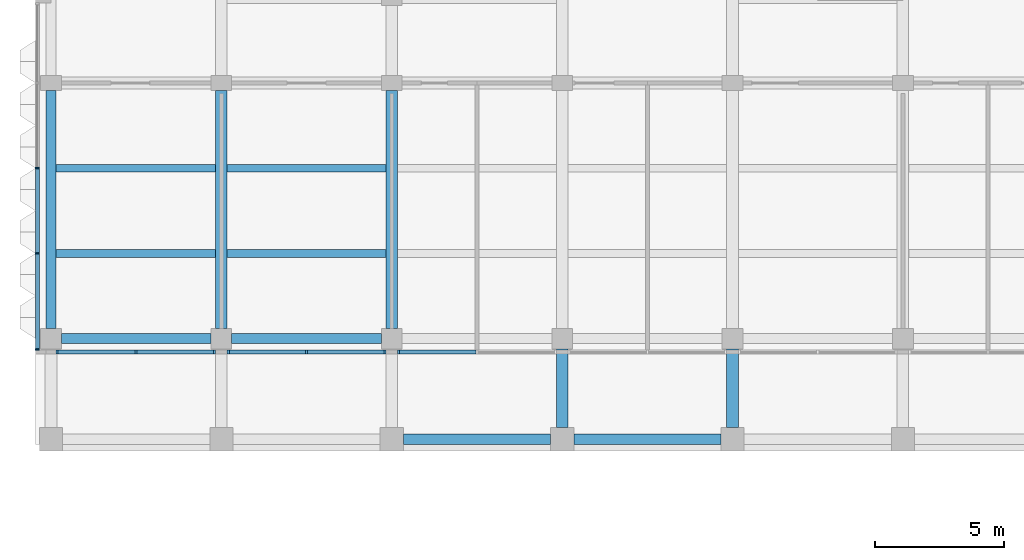
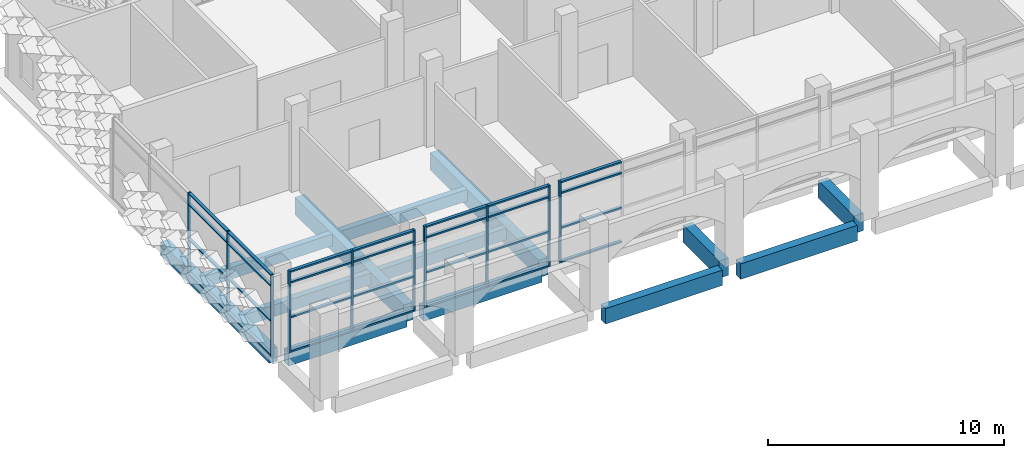
# One storey, part 2 of 87: 38 members, 13 beams, 4 elements without a shape of their own.
"""IFC4 building model written with IfcOpenShell, lengths in metres."""

import ifcopenshell
import ifcopenshell.guid

model = None  # the IFC model being written
_history = None  # IfcOwnerHistory: only IFC2X3 demands one
_inside = {}  # id of a spatial element -> (the spatial element, [elements in it])
_under = {}  # id of a project, library or spatial element -> (it, [spatial elements below it])
_declared = {}  # id of a project -> (the project, [libraries it declares])
_typed = {}  # id of a type object -> (the type object, [elements of that type])
_made_of = {}  # id of a material, layer set ... -> (it, [elements and type objects made of it])


def new_model(schema):
    """Start an empty IFC model of exactly this schema.

    Asked for "IFC4X3", IfcOpenShell would pick the latest addendum, in which some entities
    have other attributes; the version numbers below select the first issue.
    IFC2X3 requires an IfcOwnerHistory on every rooted entity: one is made here for all.
    """
    global model, _history
    if schema == "IFC4X3":
        model = ifcopenshell.file(schema_version=(4, 3, 0, 0))
    else:
        model = ifcopenshell.file(schema=schema)
    _inside.clear()
    _under.clear()
    _declared.clear()
    _typed.clear()
    _made_of.clear()
    _history = None
    if model.schema == "IFC2X3":
        org = make("IfcOrganization", Name="unknown")
        user = make(
            "IfcPersonAndOrganization",
            ThePerson=make("IfcPerson", FamilyName="unknown"),
            TheOrganization=org,
        )
        app = make(
            "IfcApplication",
            ApplicationDeveloper=org,
            Version="unknown",
            ApplicationFullName="unknown",
            ApplicationIdentifier="unknown",
        )
        _history = make(
            "IfcOwnerHistory",
            OwningUser=user,
            OwningApplication=app,
            ChangeAction="ADDED",
            CreationDate=0,
        )
    return model


def make(cls, **values):
    """One entity of the class cls with the attributes given. An attribute that is None is left unset."""
    return model.create_entity(
        cls, **{name: value for name, value in values.items() if value is not None}
    )


def rooted(cls, **values):
    """An entity with a GlobalId (a new one), such as an element, a storey or a relation."""
    return make(cls, GlobalId=ifcopenshell.guid.new(), OwnerHistory=_history, **values)


def si_unit(unit_type, name, prefix=None):
    """IfcSIUnit, for example si_unit("LENGTHUNIT", "METRE", prefix="MILLI")."""
    return make("IfcSIUnit", UnitType=unit_type, Prefix=prefix, Name=name)


def assignment(units):
    """IfcUnitAssignment: the units of a project."""
    return None if units is None else make("IfcUnitAssignment", Units=units)


def point(xyz):
    """IfcCartesianPoint."""
    return None if xyz is None else make("IfcCartesianPoint", Coordinates=xyz)


def direction(xyz):
    """IfcDirection."""
    return None if xyz is None else make("IfcDirection", DirectionRatios=xyz)


def frame(location, z_axis=None, x_axis=None):
    """IfcAxis2Placement3D, a coordinate frame: its origin and axes. An axis left out is left unset."""
    return make(
        "IfcAxis2Placement3D",
        Location=point(location),
        Axis=direction(z_axis),
        RefDirection=direction(x_axis),
    )


def frame_2d(location, x_axis=None):
    """IfcAxis2Placement2D, a coordinate frame in the plane: its origin and x axis."""
    return make(
        "IfcAxis2Placement2D", Location=point(location), RefDirection=direction(x_axis)
    )


def origin():
    """The frame at (0, 0, 0) with its axes left unset."""
    return frame((0.0, 0.0, 0.0))


def origin_2d():
    """The frame at (0, 0) in the plane with its x axis left unset."""
    return frame_2d((0.0, 0.0))


def place(relative_to, where):
    """IfcLocalPlacement: puts the frame where relative to a parent placement (None: the world)."""
    return make(
        "IfcLocalPlacement", PlacementRelTo=relative_to, RelativePlacement=where
    )


def context(
    kind, dimensions, precision=None, world=None, true_north=None, identifier=None
):
    """IfcGeometricRepresentationContext, for example the 3D "Model" context."""
    return make(
        "IfcGeometricRepresentationContext",
        ContextIdentifier=identifier,
        ContextType=kind,
        CoordinateSpaceDimension=dimensions,
        Precision=precision,
        WorldCoordinateSystem=world,
        TrueNorth=true_north,
    )


def subcontext(parent, identifier, kind, view, scale=None):
    """IfcGeometricRepresentationSubContext, for example "Body" below "Model"."""
    return make(
        "IfcGeometricRepresentationSubContext",
        ContextIdentifier=identifier,
        ContextType=kind,
        ParentContext=parent,
        TargetScale=scale,
        TargetView=view,
    )


def project(units=None, contexts=None):
    """IfcProject with its units and contexts."""
    return rooted(
        "IfcProject",
        Name="project",
        RepresentationContexts=contexts,
        UnitsInContext=assignment(units),
    )


def spatial(cls, under=None, at=None, **own):
    """A site, building, storey or space (cls), placed at a placement, below another one or the project."""
    s = rooted(cls, ObjectPlacement=at, **own)
    if under is not None:
        _under.setdefault(under.id(), (under, []))[1].append(s)
    return s


def profile(cls, at=None, kind="AREA", **sizes):
    """A parametric profile (cls). Its sizes go by their IFC names, for example OverallWidth=200.0."""
    return make(cls, ProfileType=kind, Position=at, **sizes)


def rectangle(**sizes):
    """IfcRectangleProfileDef."""
    return profile("IfcRectangleProfileDef", **sizes)


def extrude(swept, where, along, depth):
    """IfcExtrudedAreaSolid: the profile swept, set in the frame where, extruded along a direction by depth."""
    return make(
        "IfcExtrudedAreaSolid",
        SweptArea=swept,
        Position=where,
        ExtrudedDirection=direction(along),
        Depth=depth,
    )


def shape(context_of_items, identifier, shape_type, items):
    """IfcShapeRepresentation: the items that make up one representation, for example the "Body"."""
    return make(
        "IfcShapeRepresentation",
        ContextOfItems=context_of_items,
        RepresentationIdentifier=identifier,
        RepresentationType=shape_type,
        Items=items,
    )


def material(Name=None, Category=None):
    """IfcMaterial."""
    return make("IfcMaterial", Name=Name, Category=Category)


def material_profile(
    of_material, cross_section, Name=None, Category=None, Priority=None
):
    """IfcMaterialProfile: a cross section and its material."""
    return make(
        "IfcMaterialProfile",
        Name=Name,
        Material=of_material,
        Profile=cross_section,
        Priority=Priority,
        Category=Category,
    )


def profile_set(profiles, Name=None, composite=None):
    """IfcMaterialProfileSet."""
    return make(
        "IfcMaterialProfileSet",
        Name=Name,
        MaterialProfiles=profiles,
        CompositeProfile=composite,
    )


def made_of(thing, what):
    """Note that an element or type object is made of a material, layer set ...; save() writes the relation."""
    if what is not None:
        _made_of.setdefault(what.id(), (what, []))[1].append(thing)
    return thing


def type_object(cls, material=None, **own):
    """A type object (cls), such as IfcWallType, which elements share."""
    return made_of(rooted(cls, **own), material)


def element(
    cls,
    number,
    at=None,
    inside=None,
    cuts=None,
    type_object=None,
    material=None,
    context=None,
    identifier="Body",
    shape_type=None,
    held_by="IfcProductDefinitionShape",
    body=None,
    shapes=None,
    **own,
):
    """One element of the class cls, such as IfcWall. Its Tag is "e" and its number.

    at: its placement. inside: the storey or other place that contains it. cuts: it is an
    opening in that element (IfcRelVoidsElement). A single representation is given by context,
    identifier, shape_type and body (its items); several are given by shapes. held_by: the class
    of the entity that holds the representations. save() writes the other relations.
    """
    e = rooted(cls, Tag="e%d" % number, ObjectPlacement=at, **own)
    if body is not None:
        shapes = [shape(context, identifier, shape_type, body)]
    if shapes is not None:
        e.Representation = make(held_by, Representations=shapes)
    if inside is not None:
        _inside.setdefault(inside.id(), (inside, []))[1].append(e)
    if cuts is not None:
        rooted(
            "IfcRelVoidsElement", RelatingBuildingElement=cuts, RelatedOpeningElement=e
        )
    if type_object is not None:
        _typed.setdefault(type_object.id(), (type_object, []))[1].append(e)
    return made_of(e, material)


def aggregate(whole, parts):
    """IfcRelAggregates: a whole, such as a stair, and the parts it consists of."""
    return rooted("IfcRelAggregates", RelatingObject=whole, RelatedObjects=parts)


def save(model, path):
    """Write the relations noted so far, then the file.

    IfcRelAggregates (storeys below a building ...), IfcRelContainedInSpatialStructure (elements
    in a storey), IfcRelDefinesByType, IfcRelAssociatesMaterial and IfcRelDeclares: one each for
    every whole, place, type object, material and project.
    """
    for whole, parts in _under.values():
        aggregate(whole, parts)
    for where, things in _inside.values():
        rooted(
            "IfcRelContainedInSpatialStructure",
            RelatedElements=things,
            RelatingStructure=where,
        )
    for kind, things in _typed.values():
        rooted("IfcRelDefinesByType", RelatedObjects=things, RelatingType=kind)
    for what, things in _made_of.values():
        rooted("IfcRelAssociatesMaterial", RelatedObjects=things, RelatingMaterial=what)
    for by, libraries in _declared.values():
        rooted("IfcRelDeclares", RelatingContext=by, RelatedDefinitions=libraries)
    model.write(path)


model = new_model("IFC4")

# Units and contexts
model_context = context("Model", 3, precision=1e-05, world=origin(), true_north=direction((0.0, 1.0)))
body_context = subcontext(model_context, "Body", "Model", "MODEL_VIEW")
ifc_project = project(units=[si_unit("LENGTHUNIT", "METRE"), si_unit("AREAUNIT", "SQUARE_METRE"), si_unit("VOLUMEUNIT", "CUBIC_METRE"), si_unit("PLANEANGLEUNIT", "RADIAN"), si_unit("MASSUNIT", "GRAM", prefix="KILO")], contexts=[model_context])

# Site, building, storey
site_placement = place(None, origin())
site = spatial("IfcSite", under=ifc_project, at=site_placement, CompositionType="ELEMENT")
building_placement = place(site_placement, origin())
building = spatial("IfcBuilding", under=site, at=building_placement, Name="Lantern Court Research Institute", CompositionType="ELEMENT")
storey_placement = place(building_placement, frame((0.0, 0.0, 5.39990234375)))
storey = spatial("IfcBuildingStorey", under=building, at=storey_placement, Name="L01", CompositionType="ELEMENT", Elevation=5.39990234375)

# Curtain wall, members
ifc_material_1 = material(Name="Aluminium alloy 6063-T6", Category="aluminium")
curtain_wall_type_1 = type_object("IfcCurtainWallType", Name="Curtain wall 13450 x 4200 x 150 aluminium frame", PredefinedType="NOTDEFINED", material=ifc_material_1)
curtain_wall_1_placement = place(storey_placement, origin())
curtain_wall_1 = element("IfcCurtainWall", 1, at=curtain_wall_1_placement, inside=storey, type_object=curtain_wall_type_1, Name="Curtain wall CW031", PredefinedType="NOTDEFINED")
ifc_material_2 = material(Name="Aluminium alloy 6063-T6", Category="aluminium")
ifc_material_profile_1 = material_profile(ifc_material_2, rectangle(XDim=0.14990234375, YDim=0.06005859375, at=origin_2d()), Name="Mullion 150 x 60")
ifc_profile_set_1 = profile_set([ifc_material_profile_1], Name="Aluminium alloy 6063-T6")
member_type_1 = type_object("IfcMemberType", Name="Mullion 150 x 60 aluminium", PredefinedType="MULLION", material=ifc_profile_set_1)
member_1_placement = place(storey_placement, frame((-0.52490234375, -0.419921875, 0.0), z_axis=(0.0, 0.0, 1.0), x_axis=(-1.0, 0.0, 0.0)))
member_1 = element("IfcMember", 2, at=member_1_placement, type_object=member_type_1, Name="CW031 mullion 1", PredefinedType="MULLION", context=body_context, shape_type="SweptSolid", body=[
    extrude(rectangle(XDim=0.14990234375, YDim=0.06005859375, at=origin_2d()), origin(), (0.0, 0.0, 1.0), 4.2001953125),
])
member_2_placement = place(storey_placement, frame((-0.52490234375, 3.300048828125, 0.0), z_axis=(0.0, 0.0, 1.0), x_axis=(-1.0, 0.0, 0.0)))
member_2 = element("IfcMember", 3, at=member_2_placement, type_object=member_type_1, Name="CW031 mullion 2", PredefinedType="MULLION", context=body_context, shape_type="SweptSolid", body=[
    extrude(rectangle(XDim=0.14990234375, YDim=0.06005859375, at=origin_2d()), origin(), (0.0, 0.0, 1.0), 4.2001953125),
])
member_3_placement = place(storey_placement, frame((-0.52490234375, 6.60009765625, 0.0), z_axis=(0.0, 0.0, 1.0), x_axis=(-1.0, 0.0, 0.0)))
member_3 = element("IfcMember", 4, at=member_3_placement, type_object=member_type_1, Name="CW031 mullion 3", PredefinedType="MULLION", context=body_context, shape_type="SweptSolid", body=[
    extrude(rectangle(XDim=0.14990234375, YDim=0.06005859375, at=origin_2d()), origin(), (0.0, 0.0, 1.0), 4.2001953125),
])

ifc_material_3 = material(Name="Aluminium alloy 6063-T6", Category="aluminium")
curtain_wall_type_2 = type_object("IfcCurtainWallType", Name="Curtain wall 6175 x 4200 x 150 aluminium frame", PredefinedType="NOTDEFINED", material=ifc_material_3)
curtain_wall_2_placement = place(storey_placement, origin())
curtain_wall_2 = element("IfcCurtainWall", 5, at=curtain_wall_2_placement, inside=storey, type_object=curtain_wall_type_2, Name="Curtain wall CW023", PredefinedType="NOTDEFINED")
ifc_material_4 = material(Name="Aluminium alloy 6063-T6", Category="aluminium")
ifc_material_profile_2 = material_profile(ifc_material_4, rectangle(XDim=0.14990234375, YDim=0.080078125, at=origin_2d()), Name="Mullion 150 x 80")
ifc_profile_set_2 = profile_set([ifc_material_profile_2], Name="Aluminium alloy 6063-T6")
member_type_2 = type_object("IfcMemberType", Name="Mullion 150 x 80 aluminium", PredefinedType="MULLION", material=ifc_profile_set_2)
member_4_placement = place(storey_placement, frame((0.239990234375, -0.52490234375, 0.0), z_axis=(0.0, 0.0, 1.0), x_axis=(0.0, -1.0, 0.0)))
member_4 = element("IfcMember", 6, at=member_4_placement, type_object=member_type_2, Name="CW023 mullion 1", PredefinedType="MULLION", context=body_context, shape_type="SweptSolid", body=[
    extrude(rectangle(XDim=0.14990234375, YDim=0.080078125, at=origin_2d()), origin(), (0.0, 0.0, 1.0), 4.2001953125),
])
member_5_placement = place(storey_placement, frame((3.300048828125, -0.52490234375, 0.0), z_axis=(0.0, 0.0, 1.0), x_axis=(0.0, -1.0, 0.0)))
member_5 = element("IfcMember", 7, at=member_5_placement, type_object=member_type_2, Name="CW023 mullion 2", PredefinedType="MULLION", context=body_context, shape_type="SweptSolid", body=[
    extrude(rectangle(XDim=0.14990234375, YDim=0.080078125, at=origin_2d()), origin(), (0.0, 0.0, 1.0), 4.2001953125),
])
member_6_placement = place(storey_placement, frame((6.3349609375, -0.52490234375, 0.0), z_axis=(0.0, 0.0, 1.0), x_axis=(0.0, -1.0, 0.0)))
member_6 = element("IfcMember", 8, at=member_6_placement, type_object=member_type_2, Name="CW023 mullion 3", PredefinedType="MULLION", context=body_context, shape_type="SweptSolid", body=[
    extrude(rectangle(XDim=0.14990234375, YDim=0.080078125, at=origin_2d()), origin(), (0.0, 0.0, 1.0), 4.2001953125),
])

ifc_material_5 = material(Name="Aluminium alloy 6063-T6", Category="aluminium")
curtain_wall_type_3 = type_object("IfcCurtainWallType", Name="Curtain wall 6150 x 4200 x 150 aluminium frame", PredefinedType="NOTDEFINED", material=ifc_material_5)
curtain_wall_3_placement = place(storey_placement, origin())
curtain_wall_3 = element("IfcCurtainWall", 9, at=curtain_wall_3_placement, inside=storey, type_object=curtain_wall_type_3, Name="Curtain wall CW024", PredefinedType="NOTDEFINED")
member_7_placement = place(storey_placement, frame((6.864990234375, -0.52490234375, 0.0), z_axis=(0.0, 0.0, 1.0), x_axis=(0.0, -1.0, 0.0)))
member_7 = element("IfcMember", 10, at=member_7_placement, type_object=member_type_2, Name="CW024 mullion 1", PredefinedType="MULLION", context=body_context, shape_type="SweptSolid", body=[
    extrude(rectangle(XDim=0.14990234375, YDim=0.080078125, at=origin_2d()), origin(), (0.0, 0.0, 1.0), 4.2001953125),
])
member_8_placement = place(storey_placement, frame((9.89990234375, -0.52490234375, 0.0), z_axis=(0.0, 0.0, 1.0), x_axis=(0.0, -1.0, 0.0)))
member_8 = element("IfcMember", 11, at=member_8_placement, type_object=member_type_2, Name="CW024 mullion 2", PredefinedType="MULLION", context=body_context, shape_type="SweptSolid", body=[
    extrude(rectangle(XDim=0.14990234375, YDim=0.080078125, at=origin_2d()), origin(), (0.0, 0.0, 1.0), 4.2001953125),
])
member_9_placement = place(storey_placement, frame((12.93505859375, -0.52490234375, 0.0), z_axis=(0.0, 0.0, 1.0), x_axis=(0.0, -1.0, 0.0)))
member_9 = element("IfcMember", 12, at=member_9_placement, type_object=member_type_2, Name="CW024 mullion 3", PredefinedType="MULLION", context=body_context, shape_type="SweptSolid", body=[
    extrude(rectangle(XDim=0.14990234375, YDim=0.080078125, at=origin_2d()), origin(), (0.0, 0.0, 1.0), 4.2001953125),
])

# Curtain wall, member
curtain_wall_4_placement = place(storey_placement, origin())
curtain_wall_4 = element("IfcCurtainWall", 13, at=curtain_wall_4_placement, inside=storey, type_object=curtain_wall_type_3, Name="Curtain wall CW025", PredefinedType="NOTDEFINED")
member_10_placement = place(storey_placement, frame((13.465087890625, -0.52490234375, 0.0), z_axis=(0.0, 0.0, 1.0), x_axis=(0.0, -1.0, 0.0)))
member_10 = element("IfcMember", 14, at=member_10_placement, type_object=member_type_2, Name="CW025 mullion 1", PredefinedType="MULLION", context=body_context, shape_type="SweptSolid", body=[
    extrude(rectangle(XDim=0.14990234375, YDim=0.080078125, at=origin_2d()), origin(), (0.0, 0.0, 1.0), 4.2001953125),
])

# Beams
ifc_material_6 = material(Name="Concrete C40/50", Category="concrete")
ifc_material_profile_3 = material_profile(ifc_material_6, rectangle(XDim=0.39990234375, YDim=0.699951171875, at=origin_2d()), Name="RC beam 400 x 700")
ifc_profile_set_3 = profile_set([ifc_material_profile_3], Name="Concrete C40/50")
beam_type_1 = type_object("IfcBeamType", Name="RC edge beam 400 x 700", PredefinedType="BEAM", material=ifc_profile_set_3)
beam_1_placement = place(storey_placement, frame((0.0, 0.39990234375, -0.64990234375), z_axis=(0.0, 1.0, 0.0), x_axis=(-1.0, 0.0, 0.0)))
element("IfcBeam", 15, at=beam_1_placement, inside=storey, type_object=beam_type_1, Name="Edge beam L01 grid 1/A-B", PredefinedType="BEAM", context=body_context, shape_type="SweptSolid", body=[
    extrude(rectangle(XDim=0.39990234375, YDim=0.699951171875, at=origin_2d()), origin(), (0.0, 0.0, 1.0), 9.2001953125),
])
for number, where, z_axis, x_axis, name in (
    (16, (0.39990234375, 0.0, -0.64990234375), (1.0, 0.0, 0.0), (0.0, 1.0, 0.0), "Edge beam L01 grid A/1-2"),
    (17, (7.0, 0.0, -0.64990234375), (1.0, 0.0, 0.0), (0.0, 1.0, 0.0), "Edge beam L01 grid A/2-3"),
):
    element("IfcBeam", number, at=place(storey_placement, frame(where, z_axis=z_axis, x_axis=x_axis)), inside=storey, type_object=beam_type_1, Name=name, PredefinedType="BEAM", context=body_context, shape_type="SweptSolid", body=[
        extrude(rectangle(XDim=0.39990234375, YDim=0.699951171875, at=origin_2d()), origin(), (0.0, 0.0, 1.0), 5.800048828125),
    ])
ifc_material_7 = material(Name="Concrete C40/50", Category="concrete")
ifc_material_profile_4 = material_profile(ifc_material_7, rectangle(XDim=0.449951171875, YDim=0.89990234375, at=origin_2d()), Name="RC beam 450 x 900")
ifc_profile_set_4 = profile_set([ifc_material_profile_4], Name="Concrete C40/50")
beam_type_2 = type_object("IfcBeamType", Name="RC girder 450 x 900", PredefinedType="BEAM", material=ifc_profile_set_4)
for number, where, z_axis, x_axis, name in (
    (18, (6.60009765625, 0.39990234375, -0.75), (0.0, 1.0, 0.0), (-1.0, 0.0, 0.0), "Girder L01 grid 2/A-B"),
    (19, (13.199951171875, 0.39990234375, -0.75), (0.0, 1.0, 0.0), (-1.0, 0.0, 0.0), "Girder L01 grid 3/A-B"),
):
    element("IfcBeam", number, at=place(storey_placement, frame(where, z_axis=z_axis, x_axis=x_axis)), inside=storey, type_object=beam_type_2, Name=name, PredefinedType="BEAM", context=body_context, shape_type="SweptSolid", body=[
        extrude(rectangle(XDim=0.449951171875, YDim=0.89990234375, at=origin_2d()), origin(), (0.0, 0.0, 1.0), 9.2001953125),
    ])
ifc_material_8 = material(Name="Concrete C40/50", Category="concrete")
ifc_material_profile_5 = material_profile(ifc_material_8, rectangle(XDim=0.449951171875, YDim=0.89990234375, at=origin_2d()), Name="RC beam 450 x 900")
ifc_profile_set_5 = profile_set([ifc_material_profile_5], Name="Concrete C40/50")
beam_type_3 = type_object("IfcBeamType", Name="RC link beam 450 x 900", PredefinedType="BEAM", material=ifc_profile_set_5)
for number, where, z_axis, x_axis, name in (
    (20, (19.800048828125, -0.39990234375, -0.75), (0.0, -1.0, 0.0), (1.0, 0.0, 0.0), "Link beam L01 grid 4/A-Y"),
    (21, (26.39990234375, -0.39990234375, -0.75), (0.0, -1.0, 0.0), (1.0, 0.0, 0.0), "Link beam L01 grid 5/A-Y"),
):
    element("IfcBeam", number, at=place(storey_placement, frame(where, z_axis=z_axis, x_axis=x_axis)), inside=storey, type_object=beam_type_3, Name=name, PredefinedType="BEAM", context=body_context, shape_type="SweptSolid", body=[
        extrude(rectangle(XDim=0.449951171875, YDim=0.89990234375, at=origin_2d()), origin(), (0.0, 0.0, 1.0), 3.050048828125),
    ])
ifc_material_9 = material(Name="Concrete C40/50", Category="concrete")
ifc_material_profile_6 = material_profile(ifc_material_9, rectangle(XDim=0.300048828125, YDim=0.60009765625, at=origin_2d()), Name="RC beam 300 x 600")
ifc_profile_set_6 = profile_set([ifc_material_profile_6], Name="Concrete C40/50")
beam_type_4 = type_object("IfcBeamType", Name="RC secondary beam 300 x 600", PredefinedType="BEAM", material=ifc_profile_set_6)
beam_2_placement = place(storey_placement, frame((0.199951171875, 3.300048828125, -0.599853515625), z_axis=(1.0, 0.0, 0.0), x_axis=(0.0, 1.0, 0.0)))
element("IfcBeam", 22, at=beam_2_placement, inside=storey, type_object=beam_type_4, Name="Secondary beam L01 grids 1-2 / A-B, line 1", PredefinedType="BEAM", context=body_context, shape_type="SweptSolid", body=[
    extrude(rectangle(XDim=0.300048828125, YDim=0.60009765625, at=origin_2d()), origin(), (0.0, 0.0, 1.0), 6.175048828125),
])
beam_3_placement = place(storey_placement, frame((6.824951171875, 3.300048828125, -0.599853515625), z_axis=(1.0, 0.0, 0.0), x_axis=(0.0, 1.0, 0.0)))
element("IfcBeam", 23, at=beam_3_placement, inside=storey, type_object=beam_type_4, Name="Secondary beam L01 grids 2-3 / A-B, line 1", PredefinedType="BEAM", context=body_context, shape_type="SweptSolid", body=[
    extrude(rectangle(XDim=0.300048828125, YDim=0.60009765625, at=origin_2d()), origin(), (0.0, 0.0, 1.0), 6.150146484375),
])
beam_4_placement = place(storey_placement, frame((0.199951171875, 6.60009765625, -0.599853515625), z_axis=(1.0, 0.0, 0.0), x_axis=(0.0, 1.0, 0.0)))
element("IfcBeam", 24, at=beam_4_placement, inside=storey, type_object=beam_type_4, Name="Secondary beam L01 grids 1-2 / A-B, line 2", PredefinedType="BEAM", context=body_context, shape_type="SweptSolid", body=[
    extrude(rectangle(XDim=0.300048828125, YDim=0.60009765625, at=origin_2d()), origin(), (0.0, 0.0, 1.0), 6.175048828125),
])
beam_5_placement = place(storey_placement, frame((6.824951171875, 6.60009765625, -0.599853515625), z_axis=(1.0, 0.0, 0.0), x_axis=(0.0, 1.0, 0.0)))
element("IfcBeam", 25, at=beam_5_placement, inside=storey, type_object=beam_type_4, Name="Secondary beam L01 grids 2-3 / A-B, line 2", PredefinedType="BEAM", context=body_context, shape_type="SweptSolid", body=[
    extrude(rectangle(XDim=0.300048828125, YDim=0.60009765625, at=origin_2d()), origin(), (0.0, 0.0, 1.0), 6.150146484375),
])
ifc_material_10 = material(Name="Concrete C40/50", Category="concrete")
ifc_material_profile_7 = material_profile(ifc_material_10, rectangle(XDim=0.39990234375, YDim=0.800048828125, at=origin_2d()), Name="RC beam 400 x 800")
ifc_profile_set_7 = profile_set([ifc_material_profile_7], Name="Concrete C40/50")
beam_type_5 = type_object("IfcBeamType", Name="RC tie beam 400 x 800", PredefinedType="BEAM", material=ifc_profile_set_7)
beam_6_placement = place(storey_placement, frame((13.64990234375, -3.89990234375, -0.699951171875), z_axis=(1.0, 0.0, 0.0), x_axis=(0.0, 1.0, 0.0)))
element("IfcBeam", 26, at=beam_6_placement, inside=storey, type_object=beam_type_5, Name="Tie beam L01 grid Y/3-4", PredefinedType="BEAM", context=body_context, shape_type="SweptSolid", body=[
    extrude(rectangle(XDim=0.39990234375, YDim=0.800048828125, at=origin_2d()), origin(), (0.0, 0.0, 1.0), 5.7001953125),
])
beam_7_placement = place(storey_placement, frame((20.25, -3.89990234375, -0.699951171875), z_axis=(1.0, 0.0, 0.0), x_axis=(0.0, 1.0, 0.0)))
element("IfcBeam", 27, at=beam_7_placement, inside=storey, type_object=beam_type_5, Name="Tie beam L01 grid Y/4-5", PredefinedType="BEAM", context=body_context, shape_type="SweptSolid", body=[
    extrude(rectangle(XDim=0.39990234375, YDim=0.800048828125, at=origin_2d()), origin(), (0.0, 0.0, 1.0), 5.699951171875),
])

# Member
ifc_material_11 = material(Name="Aluminium alloy 6063-T6", Category="aluminium")
ifc_material_profile_8 = material_profile(ifc_material_11, rectangle(XDim=0.14990234375, YDim=0.06005859375, at=origin_2d()), Name="Transom 150 x 60")
ifc_profile_set_8 = profile_set([ifc_material_profile_8], Name="Aluminium alloy 6063-T6")
member_type_3 = type_object("IfcMemberType", Name="Transom 150 x 60 aluminium", PredefinedType="USERDEFINED", material=ifc_profile_set_8)
member_11_placement = place(storey_placement, frame((-0.52490234375, -0.389892578125, 0.030029296875), z_axis=(0.0, 1.0, 0.0), x_axis=(-1.0, 0.0, 0.0)))
member_11 = element("IfcMember", 28, at=member_11_placement, type_object=member_type_3, Name="CW031 transom 1.1", ObjectType="TRANSOM", PredefinedType="USERDEFINED", context=body_context, shape_type="SweptSolid", body=[
    extrude(rectangle(XDim=0.14990234375, YDim=0.06005859375, at=origin_2d()), origin(), (0.0, 0.0, 1.0), 3.659912109375),
])

member_12_placement = place(storey_placement, frame((-0.52490234375, -0.389892578125, 1.800048828125), z_axis=(0.0, 1.0, 0.0), x_axis=(-1.0, 0.0, 0.0)))
member_12 = element("IfcMember", 29, at=member_12_placement, type_object=member_type_3, Name="CW031 transom 1.2", ObjectType="TRANSOM", PredefinedType="USERDEFINED", context=body_context, shape_type="SweptSolid", body=[
    extrude(rectangle(XDim=0.14990234375, YDim=0.06005859375, at=origin_2d()), origin(), (0.0, 0.0, 1.0), 3.659912109375),
])

member_13_placement = place(storey_placement, frame((-0.52490234375, -0.389892578125, 3.60009765625), z_axis=(0.0, 1.0, 0.0), x_axis=(-1.0, 0.0, 0.0)))
member_13 = element("IfcMember", 30, at=member_13_placement, type_object=member_type_3, Name="CW031 transom 1.3", ObjectType="TRANSOM", PredefinedType="USERDEFINED", context=body_context, shape_type="SweptSolid", body=[
    extrude(rectangle(XDim=0.14990234375, YDim=0.06005859375, at=origin_2d()), origin(), (0.0, 0.0, 1.0), 3.659912109375),
])

member_14_placement = place(storey_placement, frame((-0.52490234375, -0.389892578125, 4.170166015625), z_axis=(0.0, 1.0, 0.0), x_axis=(-1.0, 0.0, 0.0)))
member_14 = element("IfcMember", 31, at=member_14_placement, type_object=member_type_3, Name="CW031 transom 1.4", ObjectType="TRANSOM", PredefinedType="USERDEFINED", context=body_context, shape_type="SweptSolid", body=[
    extrude(rectangle(XDim=0.14990234375, YDim=0.06005859375, at=origin_2d()), origin(), (0.0, 0.0, 1.0), 3.659912109375),
])

member_15_placement = place(storey_placement, frame((-0.52490234375, 3.330078125, 0.030029296875), z_axis=(0.0, 1.0, 0.0), x_axis=(-1.0, 0.0, 0.0)))
member_15 = element("IfcMember", 32, at=member_15_placement, type_object=member_type_3, Name="CW031 transom 2.1", ObjectType="TRANSOM", PredefinedType="USERDEFINED", context=body_context, shape_type="SweptSolid", body=[
    extrude(rectangle(XDim=0.14990234375, YDim=0.06005859375, at=origin_2d()), origin(), (0.0, 0.0, 1.0), 3.239990234375),
])

member_16_placement = place(storey_placement, frame((-0.52490234375, 3.330078125, 1.800048828125), z_axis=(0.0, 1.0, 0.0), x_axis=(-1.0, 0.0, 0.0)))
member_16 = element("IfcMember", 33, at=member_16_placement, type_object=member_type_3, Name="CW031 transom 2.2", ObjectType="TRANSOM", PredefinedType="USERDEFINED", context=body_context, shape_type="SweptSolid", body=[
    extrude(rectangle(XDim=0.14990234375, YDim=0.06005859375, at=origin_2d()), origin(), (0.0, 0.0, 1.0), 3.239990234375),
])

member_17_placement = place(storey_placement, frame((-0.52490234375, 3.330078125, 3.60009765625), z_axis=(0.0, 1.0, 0.0), x_axis=(-1.0, 0.0, 0.0)))
member_17 = element("IfcMember", 34, at=member_17_placement, type_object=member_type_3, Name="CW031 transom 2.3", ObjectType="TRANSOM", PredefinedType="USERDEFINED", context=body_context, shape_type="SweptSolid", body=[
    extrude(rectangle(XDim=0.14990234375, YDim=0.06005859375, at=origin_2d()), origin(), (0.0, 0.0, 1.0), 3.239990234375),
])

member_18_placement = place(storey_placement, frame((-0.52490234375, 3.330078125, 4.170166015625), z_axis=(0.0, 1.0, 0.0), x_axis=(-1.0, 0.0, 0.0)))
member_18 = element("IfcMember", 35, at=member_18_placement, type_object=member_type_3, Name="CW031 transom 2.4", ObjectType="TRANSOM", PredefinedType="USERDEFINED", context=body_context, shape_type="SweptSolid", body=[
    extrude(rectangle(XDim=0.14990234375, YDim=0.06005859375, at=origin_2d()), origin(), (0.0, 0.0, 1.0), 3.239990234375),
])

aggregate(curtain_wall_1, [member_1, member_2, member_3, member_11, member_12, member_13, member_14, member_15, member_16, member_17, member_18])

ifc_material_12 = material(Name="Aluminium alloy 6063-T6", Category="aluminium")
ifc_material_profile_9 = material_profile(ifc_material_12, rectangle(XDim=0.14990234375, YDim=0.080078125, at=origin_2d()), Name="Transom 150 x 80")
ifc_profile_set_9 = profile_set([ifc_material_profile_9], Name="Aluminium alloy 6063-T6")
member_type_4 = type_object("IfcMemberType", Name="Transom 150 x 80 aluminium", PredefinedType="USERDEFINED", material=ifc_profile_set_9)
member_19_placement = place(storey_placement, frame((3.260009765625, -0.52490234375, 0.0400390625), z_axis=(-1.0, 0.0, 0.0), x_axis=(0.0, -1.0, 0.0)))
member_19 = element("IfcMember", 36, at=member_19_placement, type_object=member_type_4, Name="CW023 transom 1.1", ObjectType="TRANSOM", PredefinedType="USERDEFINED", context=body_context, shape_type="SweptSolid", body=[
    extrude(rectangle(XDim=0.14990234375, YDim=0.080078125, at=origin_2d()), origin(), (0.0, 0.0, 1.0), 2.97998046875),
])

member_20_placement = place(storey_placement, frame((3.260009765625, -0.52490234375, 1.800048828125), z_axis=(-1.0, 0.0, 0.0), x_axis=(0.0, -1.0, 0.0)))
member_20 = element("IfcMember", 37, at=member_20_placement, type_object=member_type_4, Name="CW023 transom 1.2", ObjectType="TRANSOM", PredefinedType="USERDEFINED", context=body_context, shape_type="SweptSolid", body=[
    extrude(rectangle(XDim=0.14990234375, YDim=0.080078125, at=origin_2d()), origin(), (0.0, 0.0, 1.0), 2.97998046875),
])

member_21_placement = place(storey_placement, frame((3.260009765625, -0.52490234375, 3.60009765625), z_axis=(-1.0, 0.0, 0.0), x_axis=(0.0, -1.0, 0.0)))
member_21 = element("IfcMember", 38, at=member_21_placement, type_object=member_type_4, Name="CW023 transom 1.3", ObjectType="TRANSOM", PredefinedType="USERDEFINED", context=body_context, shape_type="SweptSolid", body=[
    extrude(rectangle(XDim=0.14990234375, YDim=0.080078125, at=origin_2d()), origin(), (0.0, 0.0, 1.0), 2.97998046875),
])

member_22_placement = place(storey_placement, frame((3.260009765625, -0.52490234375, 4.16015625), z_axis=(-1.0, 0.0, 0.0), x_axis=(0.0, -1.0, 0.0)))
member_22 = element("IfcMember", 39, at=member_22_placement, type_object=member_type_4, Name="CW023 transom 1.4", ObjectType="TRANSOM", PredefinedType="USERDEFINED", context=body_context, shape_type="SweptSolid", body=[
    extrude(rectangle(XDim=0.14990234375, YDim=0.080078125, at=origin_2d()), origin(), (0.0, 0.0, 1.0), 2.97998046875),
])

member_23_placement = place(storey_placement, frame((6.294921875, -0.52490234375, 0.0400390625), z_axis=(-1.0, 0.0, 0.0), x_axis=(0.0, -1.0, 0.0)))
member_23 = element("IfcMember", 40, at=member_23_placement, type_object=member_type_4, Name="CW023 transom 2.1", ObjectType="TRANSOM", PredefinedType="USERDEFINED", context=body_context, shape_type="SweptSolid", body=[
    extrude(rectangle(XDim=0.14990234375, YDim=0.080078125, at=origin_2d()), origin(), (0.0, 0.0, 1.0), 2.954833984375),
])

member_24_placement = place(storey_placement, frame((6.294921875, -0.52490234375, 1.800048828125), z_axis=(-1.0, 0.0, 0.0), x_axis=(0.0, -1.0, 0.0)))
member_24 = element("IfcMember", 41, at=member_24_placement, type_object=member_type_4, Name="CW023 transom 2.2", ObjectType="TRANSOM", PredefinedType="USERDEFINED", context=body_context, shape_type="SweptSolid", body=[
    extrude(rectangle(XDim=0.14990234375, YDim=0.080078125, at=origin_2d()), origin(), (0.0, 0.0, 1.0), 2.954833984375),
])

member_25_placement = place(storey_placement, frame((6.294921875, -0.52490234375, 3.60009765625), z_axis=(-1.0, 0.0, 0.0), x_axis=(0.0, -1.0, 0.0)))
member_25 = element("IfcMember", 42, at=member_25_placement, type_object=member_type_4, Name="CW023 transom 2.3", ObjectType="TRANSOM", PredefinedType="USERDEFINED", context=body_context, shape_type="SweptSolid", body=[
    extrude(rectangle(XDim=0.14990234375, YDim=0.080078125, at=origin_2d()), origin(), (0.0, 0.0, 1.0), 2.954833984375),
])

member_26_placement = place(storey_placement, frame((6.294921875, -0.52490234375, 4.16015625), z_axis=(-1.0, 0.0, 0.0), x_axis=(0.0, -1.0, 0.0)))
member_26 = element("IfcMember", 43, at=member_26_placement, type_object=member_type_4, Name="CW023 transom 2.4", ObjectType="TRANSOM", PredefinedType="USERDEFINED", context=body_context, shape_type="SweptSolid", body=[
    extrude(rectangle(XDim=0.14990234375, YDim=0.080078125, at=origin_2d()), origin(), (0.0, 0.0, 1.0), 2.954833984375),
])

aggregate(curtain_wall_2, [member_4, member_5, member_6, member_19, member_20, member_21, member_22, member_23, member_24, member_25, member_26])

member_27_placement = place(storey_placement, frame((9.860107421875, -0.52490234375, 0.0400390625), z_axis=(-1.0, 0.0, 0.0), x_axis=(0.0, -1.0, 0.0)))
member_27 = element("IfcMember", 44, at=member_27_placement, type_object=member_type_4, Name="CW024 transom 1.1", ObjectType="TRANSOM", PredefinedType="USERDEFINED", context=body_context, shape_type="SweptSolid", body=[
    extrude(rectangle(XDim=0.14990234375, YDim=0.080078125, at=origin_2d()), origin(), (0.0, 0.0, 1.0), 2.955078125),
])

member_28_placement = place(storey_placement, frame((9.860107421875, -0.52490234375, 1.800048828125), z_axis=(-1.0, 0.0, 0.0), x_axis=(0.0, -1.0, 0.0)))
member_28 = element("IfcMember", 45, at=member_28_placement, type_object=member_type_4, Name="CW024 transom 1.2", ObjectType="TRANSOM", PredefinedType="USERDEFINED", context=body_context, shape_type="SweptSolid", body=[
    extrude(rectangle(XDim=0.14990234375, YDim=0.080078125, at=origin_2d()), origin(), (0.0, 0.0, 1.0), 2.955078125),
])

member_29_placement = place(storey_placement, frame((9.860107421875, -0.52490234375, 3.60009765625), z_axis=(-1.0, 0.0, 0.0), x_axis=(0.0, -1.0, 0.0)))
member_29 = element("IfcMember", 46, at=member_29_placement, type_object=member_type_4, Name="CW024 transom 1.3", ObjectType="TRANSOM", PredefinedType="USERDEFINED", context=body_context, shape_type="SweptSolid", body=[
    extrude(rectangle(XDim=0.14990234375, YDim=0.080078125, at=origin_2d()), origin(), (0.0, 0.0, 1.0), 2.955078125),
])

member_30_placement = place(storey_placement, frame((9.860107421875, -0.52490234375, 4.16015625), z_axis=(-1.0, 0.0, 0.0), x_axis=(0.0, -1.0, 0.0)))
member_30 = element("IfcMember", 47, at=member_30_placement, type_object=member_type_4, Name="CW024 transom 1.4", ObjectType="TRANSOM", PredefinedType="USERDEFINED", context=body_context, shape_type="SweptSolid", body=[
    extrude(rectangle(XDim=0.14990234375, YDim=0.080078125, at=origin_2d()), origin(), (0.0, 0.0, 1.0), 2.955078125),
])

member_31_placement = place(storey_placement, frame((12.89501953125, -0.52490234375, 0.0400390625), z_axis=(-1.0, 0.0, 0.0), x_axis=(0.0, -1.0, 0.0)))
member_31 = element("IfcMember", 48, at=member_31_placement, type_object=member_type_4, Name="CW024 transom 2.1", ObjectType="TRANSOM", PredefinedType="USERDEFINED", context=body_context, shape_type="SweptSolid", body=[
    extrude(rectangle(XDim=0.14990234375, YDim=0.080078125, at=origin_2d()), origin(), (0.0, 0.0, 1.0), 2.955078125),
])

member_32_placement = place(storey_placement, frame((12.89501953125, -0.52490234375, 1.800048828125), z_axis=(-1.0, 0.0, 0.0), x_axis=(0.0, -1.0, 0.0)))
member_32 = element("IfcMember", 49, at=member_32_placement, type_object=member_type_4, Name="CW024 transom 2.2", ObjectType="TRANSOM", PredefinedType="USERDEFINED", context=body_context, shape_type="SweptSolid", body=[
    extrude(rectangle(XDim=0.14990234375, YDim=0.080078125, at=origin_2d()), origin(), (0.0, 0.0, 1.0), 2.955078125),
])

member_33_placement = place(storey_placement, frame((12.89501953125, -0.52490234375, 3.60009765625), z_axis=(-1.0, 0.0, 0.0), x_axis=(0.0, -1.0, 0.0)))
member_33 = element("IfcMember", 50, at=member_33_placement, type_object=member_type_4, Name="CW024 transom 2.3", ObjectType="TRANSOM", PredefinedType="USERDEFINED", context=body_context, shape_type="SweptSolid", body=[
    extrude(rectangle(XDim=0.14990234375, YDim=0.080078125, at=origin_2d()), origin(), (0.0, 0.0, 1.0), 2.955078125),
])

member_34_placement = place(storey_placement, frame((12.89501953125, -0.52490234375, 4.16015625), z_axis=(-1.0, 0.0, 0.0), x_axis=(0.0, -1.0, 0.0)))
member_34 = element("IfcMember", 51, at=member_34_placement, type_object=member_type_4, Name="CW024 transom 2.4", ObjectType="TRANSOM", PredefinedType="USERDEFINED", context=body_context, shape_type="SweptSolid", body=[
    extrude(rectangle(XDim=0.14990234375, YDim=0.080078125, at=origin_2d()), origin(), (0.0, 0.0, 1.0), 2.955078125),
])

aggregate(curtain_wall_3, [member_7, member_8, member_9, member_27, member_28, member_29, member_30, member_31, member_32, member_33, member_34])

member_35_placement = place(storey_placement, frame((16.4599609375, -0.52490234375, 0.0400390625), z_axis=(-1.0, 0.0, 0.0), x_axis=(0.0, -1.0, 0.0)))
member_35 = element("IfcMember", 52, at=member_35_placement, type_object=member_type_4, Name="CW025 transom 1.1", ObjectType="TRANSOM", PredefinedType="USERDEFINED", context=body_context, shape_type="SweptSolid", body=[
    extrude(rectangle(XDim=0.14990234375, YDim=0.080078125, at=origin_2d()), origin(), (0.0, 0.0, 1.0), 2.955078125),
])

member_36_placement = place(storey_placement, frame((16.4599609375, -0.52490234375, 1.800048828125), z_axis=(-1.0, 0.0, 0.0), x_axis=(0.0, -1.0, 0.0)))
member_36 = element("IfcMember", 53, at=member_36_placement, type_object=member_type_4, Name="CW025 transom 1.2", ObjectType="TRANSOM", PredefinedType="USERDEFINED", context=body_context, shape_type="SweptSolid", body=[
    extrude(rectangle(XDim=0.14990234375, YDim=0.080078125, at=origin_2d()), origin(), (0.0, 0.0, 1.0), 2.955078125),
])

member_37_placement = place(storey_placement, frame((16.4599609375, -0.52490234375, 3.60009765625), z_axis=(-1.0, 0.0, 0.0), x_axis=(0.0, -1.0, 0.0)))
member_37 = element("IfcMember", 54, at=member_37_placement, type_object=member_type_4, Name="CW025 transom 1.3", ObjectType="TRANSOM", PredefinedType="USERDEFINED", context=body_context, shape_type="SweptSolid", body=[
    extrude(rectangle(XDim=0.14990234375, YDim=0.080078125, at=origin_2d()), origin(), (0.0, 0.0, 1.0), 2.955078125),
])

member_38_placement = place(storey_placement, frame((16.4599609375, -0.52490234375, 4.16015625), z_axis=(-1.0, 0.0, 0.0), x_axis=(0.0, -1.0, 0.0)))
member_38 = element("IfcMember", 55, at=member_38_placement, type_object=member_type_4, Name="CW025 transom 1.4", ObjectType="TRANSOM", PredefinedType="USERDEFINED", context=body_context, shape_type="SweptSolid", body=[
    extrude(rectangle(XDim=0.14990234375, YDim=0.080078125, at=origin_2d()), origin(), (0.0, 0.0, 1.0), 2.955078125),
])

aggregate(curtain_wall_4, [member_10, member_35, member_36, member_37, member_38])

save(model, "model.ifc")
